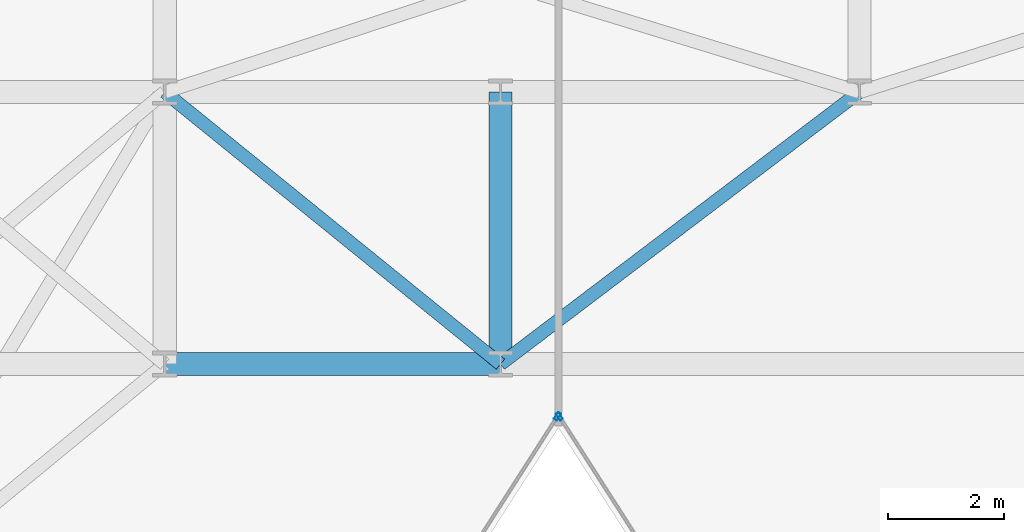
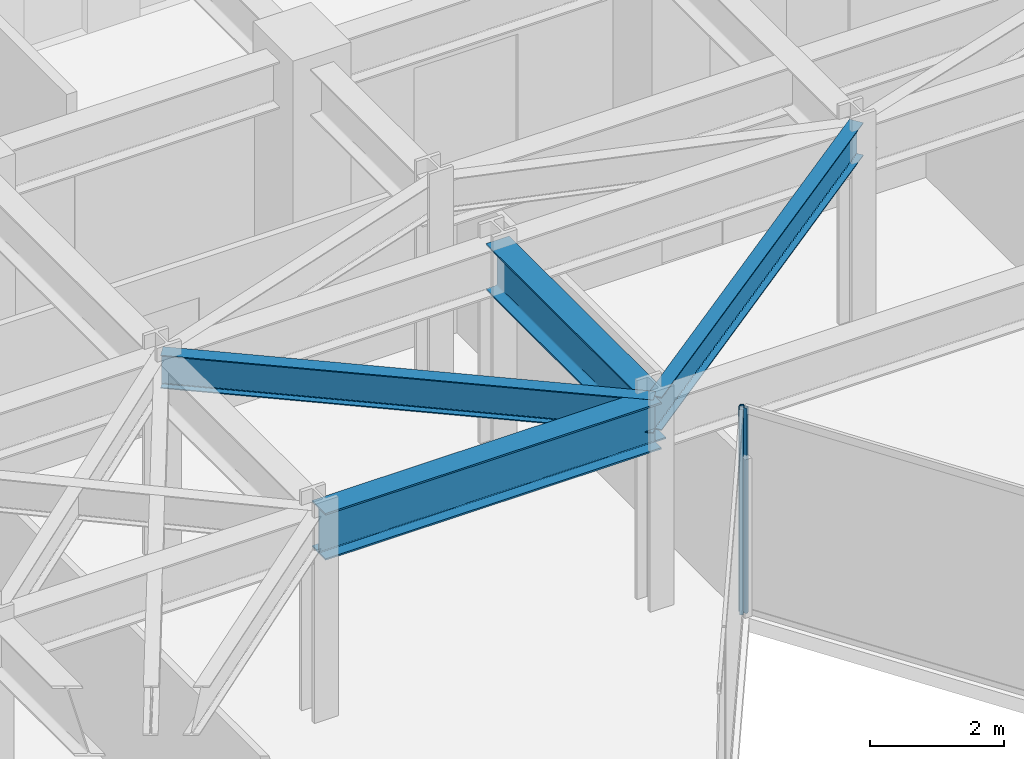
# One storey, part 13 of 26: 4 beams, 2 members, 2 elements without a shape of their own.
"""IFC4 building model written with IfcOpenShell, lengths in metres."""

from ifc_helpers import new_model, si_unit, direction, frame, origin, origin_2d, place, context, subcontext, project, spatial, hollow_rectangle, i_section, extrude, material, layer, layer_set, material_profile, profile_set, type_object, element, aggregate, save


model = new_model("IFC4")

# Units and contexts
model_context = context("Model", 3, precision=1e-05, world=origin(), true_north=direction((0.0, 1.0)))
body_context = subcontext(model_context, "Body", "Model", "MODEL_VIEW")
ifc_project = project(units=[si_unit("LENGTHUNIT", "METRE"), si_unit("AREAUNIT", "SQUARE_METRE"), si_unit("VOLUMEUNIT", "CUBIC_METRE"), si_unit("PLANEANGLEUNIT", "RADIAN"), si_unit("MASSUNIT", "GRAM", prefix="KILO")], contexts=[model_context])

# Site, building, storey
site_placement = place(None, origin())
site = spatial("IfcSite", under=ifc_project, at=site_placement, CompositionType="ELEMENT")
building_placement = place(site_placement, origin())
building = spatial("IfcBuilding", under=site, at=building_placement, Name="Kravanh Interchange Tower", CompositionType="ELEMENT")
storey_placement = place(building_placement, frame((0.0, 0.0, 128.0)))
storey = spatial("IfcBuildingStorey", under=building, at=storey_placement, Name="L30", CompositionType="ELEMENT", Elevation=128.0)

# Curtain wall, member
ifc_material_1 = material(Name="Anodised Bronze Aluminium", Category="aluminium")
ifc_layer = layer(ifc_material_1, 0.179931640625)
ifc_layer_set = layer_set([ifc_layer], Name="Unitised Curtain Wall System CW-Z2 Mid Office")
curtain_wall_type = type_object("IfcCurtainWallType", Name="Unitised Curtain Wall System CW-Z2 Mid Office", PredefinedType="NOTDEFINED", material=ifc_layer_set)
curtain_wall_1_placement = place(storey_placement, origin())
curtain_wall_1 = element("IfcCurtainWall", 1, at=curtain_wall_1_placement, inside=storey, type_object=curtain_wall_type, Name="L30 Unitised Curtain Wall CW-L30-04", PredefinedType="NOTDEFINED")
ifc_material_2 = material(Name="Anodised Bronze Aluminium", Category="aluminium")
ifc_material_profile_1 = material_profile(ifc_material_2, hollow_rectangle(XDim=0.06005859375, YDim=0.139892578125, WallThickness=0.00390625, at=origin_2d()), Name="ALU60X140X4")
ifc_profile_set_1 = profile_set([ifc_material_profile_1], Name="Anodised Bronze Aluminium")
member_type = type_object("IfcMemberType", Name="Curtain Wall Mullion ALU60X140X4 Bronze", PredefinedType="MULLION", material=ifc_profile_set_1)
member_1_placement = place(storey_placement, frame((39.6162109375, 25.897216796875, 0.0), z_axis=(0.0, 0.0, 1.0), x_axis=(-0.841879939476, -0.539664865919, 0.0)))
member_1 = element("IfcMember", 2, at=member_1_placement, type_object=member_type, Name="CW-Z2 mullion 5", PredefinedType="MULLION", context=body_context, shape_type="SweptSolid", body=[
    extrude(hollow_rectangle(XDim=0.06005859375, YDim=0.139892578125, WallThickness=0.00390625, at=origin_2d()), origin(), (0.0, 0.0, 1.0), 3.75),
])
aggregate(curtain_wall_1, [member_1])

curtain_wall_2_placement = place(storey_placement, origin())
curtain_wall_2 = element("IfcCurtainWall", 3, at=curtain_wall_2_placement, inside=storey, type_object=curtain_wall_type, Name="L30 Unitised Curtain Wall CW-L30-05", PredefinedType="NOTDEFINED")
member_2_placement = place(storey_placement, frame((39.583740234375, 25.897216796875, 0.0), z_axis=(0.0, 0.0, 1.0), x_axis=(0.841879939476, -0.539664865919, 0.0)))
member_2 = element("IfcMember", 4, at=member_2_placement, type_object=member_type, Name="CW-Z2 mullion 1", PredefinedType="MULLION", context=body_context, shape_type="SweptSolid", body=[
    extrude(hollow_rectangle(XDim=0.06005859375, YDim=0.139892578125, WallThickness=0.00390625, at=origin_2d()), origin(), (0.0, 0.0, 1.0), 3.75),
])
aggregate(curtain_wall_2, [member_2])

# Beams
ifc_material_3 = material(Name="Structural Steel S355", Category="steel")
ifc_material_profile_2 = material_profile(ifc_material_3, i_section(OverallWidth=0.39990234375, OverallDepth=0.85595703125, WebThickness=0.018310546875, FlangeThickness=0.029296875, FilletRadius=0.02490234375, at=origin_2d()), Name="W33X201")
ifc_profile_set_2 = profile_set([ifc_material_profile_2], Name="Structural Steel S355")
beam_type_1 = type_object("IfcBeamType", Name="Floor Beam W33X201 Structural Steel S355", PredefinedType="BEAM", material=ifc_profile_set_2)
beam_1_placement = place(storey_placement, frame((32.800048828125, 26.800048828125, 3.322021484375), z_axis=(1.0, 0.0, 0.0), x_axis=(0.0, 1.0, 0.0)))
element("IfcBeam", 5, at=beam_1_placement, inside=storey, type_object=beam_type_1, Name="L30 Primary Floor Girder 50", PredefinedType="BEAM", context=body_context, shape_type="SweptSolid", body=[
    extrude(i_section(OverallWidth=0.39990234375, OverallDepth=0.85595703125, WebThickness=0.018310546875, FlangeThickness=0.029296875, FilletRadius=0.02490234375, at=origin_2d()), origin(), (0.0, 0.0, 1.0), 5.800048828125),
])
beam_2_placement = place(storey_placement, frame((38.60009765625, 26.800048828125, 3.322021484375), z_axis=(0.0, 1.0, 0.0), x_axis=(-1.0, 0.0, 0.0)))
element("IfcBeam", 6, at=beam_2_placement, inside=storey, type_object=beam_type_1, Name="L30 Primary Floor Girder 53", PredefinedType="BEAM", context=body_context, shape_type="SweptSolid", body=[
    extrude(i_section(OverallWidth=0.39990234375, OverallDepth=0.85595703125, WebThickness=0.018310546875, FlangeThickness=0.029296875, FilletRadius=0.02490234375, at=origin_2d()), origin(), (0.0, 0.0, 1.0), 4.699951171875),
])
ifc_material_4 = material(Name="Structural Steel S355", Category="steel")
ifc_material_profile_3 = material_profile(ifc_material_4, i_section(OverallWidth=0.22802734375, OverallDepth=0.60791015625, WebThickness=0.01123046875, FlangeThickness=0.017333984375, FilletRadius=0.02197265625, at=origin_2d()), Name="W24X76")
ifc_profile_set_3 = profile_set([ifc_material_profile_3], Name="Structural Steel S355")
beam_type_2 = type_object("IfcBeamType", Name="Floor Spandrel W24X76 Structural Steel S355", PredefinedType="SPANDREL", material=ifc_profile_set_3)
beam_3_placement = place(storey_placement, frame((38.60009765625, 26.800048828125, 3.446044921875), z_axis=(-0.776938619557, 0.629576350764, 0.0), x_axis=(-0.629576350764, -0.776938619557, 0.0)))
element("IfcBeam", 7, at=beam_3_placement, inside=storey, type_object=beam_type_2, Name="L30 Perimeter Spandrel 54", PredefinedType="SPANDREL", context=body_context, shape_type="SweptSolid", body=[
    extrude(i_section(OverallWidth=0.22802734375, OverallDepth=0.60791015625, WebThickness=0.01123046875, FlangeThickness=0.017333984375, FilletRadius=0.02197265625, at=origin_2d()), origin(), (0.0, 0.0, 1.0), 7.46533203125),
])
beam_4_placement = place(storey_placement, frame((38.60009765625, 26.800048828125, 3.446044921875), z_axis=(0.796905365509, 0.604104161898, 0.0), x_axis=(-0.604104161898, 0.796905365509, 0.0)))
element("IfcBeam", 8, at=beam_4_placement, inside=storey, type_object=beam_type_2, Name="L30 Perimeter Spandrel 55", PredefinedType="SPANDREL", context=body_context, shape_type="SweptSolid", body=[
    extrude(i_section(OverallWidth=0.22802734375, OverallDepth=0.60791015625, WebThickness=0.01123046875, FlangeThickness=0.017333984375, FilletRadius=0.02197265625, at=origin_2d()), origin(), (0.0, 0.0, 1.0), 7.780029296875),
])

save(model, "model.ifc")
